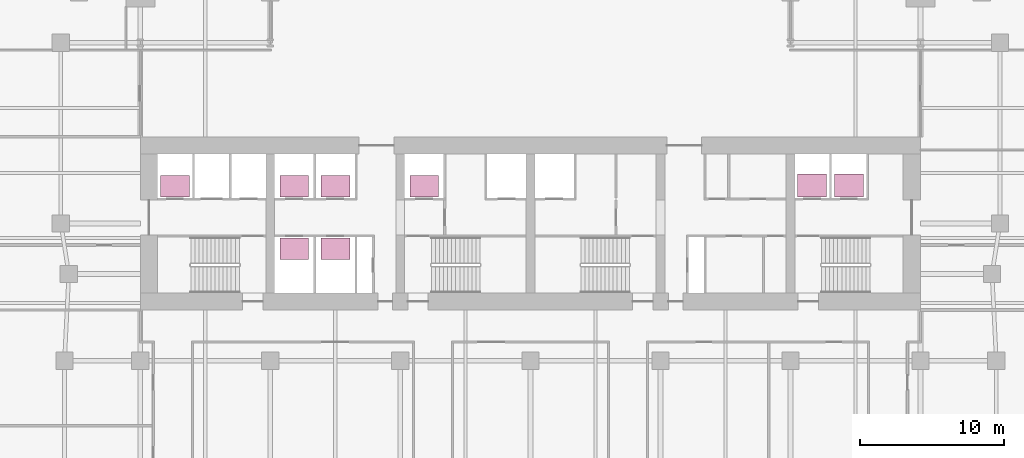
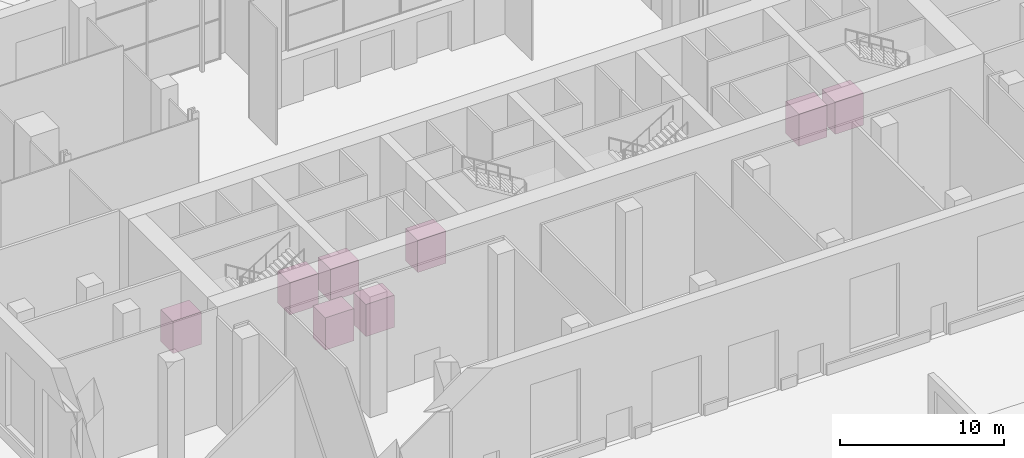
# One storey, part 22 of 23: 8 transport elements.
"""IFC4 building model written with IfcOpenShell, lengths in metres."""

from ifc_helpers import new_model, si_unit, direction, frame, origin, origin_2d, place, context, subcontext, project, spatial, rectangle, extrude, material, type_object, element, save


model = new_model("IFC4")

# Units and contexts
model_context = context("Model", 3, precision=1e-05, world=origin(), true_north=direction((0.0, 1.0)))
body_context = subcontext(model_context, "Body", "Model", "MODEL_VIEW")
ifc_project = project(units=[si_unit("LENGTHUNIT", "METRE"), si_unit("AREAUNIT", "SQUARE_METRE"), si_unit("VOLUMEUNIT", "CUBIC_METRE"), si_unit("PLANEANGLEUNIT", "RADIAN"), si_unit("MASSUNIT", "GRAM", prefix="KILO")], contexts=[model_context])

# Site, building, storey
site_placement = place(None, origin())
site = spatial("IfcSite", under=ifc_project, at=site_placement, CompositionType="ELEMENT")
building_placement = place(site_placement, origin())
building = spatial("IfcBuilding", under=site, at=building_placement, Name="Zellij Exchange Tower", CompositionType="ELEMENT")
storey_placement = place(building_placement, origin())
storey = spatial("IfcBuildingStorey", under=building, at=storey_placement, Name="L00", CompositionType="ELEMENT", Elevation=0.0)

# Transport elements
ifc_material = material(Name="Stainless steel", Category="steel")
transport_element_type_1 = type_object("IfcTransportElementType", Name="CORE-LIFT Low-rise car 2000x1500 1600 kg", PredefinedType="ELEVATOR", material=ifc_material)
for number, where, z_axis, x_axis, name in (
    (1, (-16.35009765625, -5.425048828125, 0.0), (0.0, 0.0, 1.0), (1.0, 0.0, 0.0), "LR1"),
    (2, (-13.5, -5.425048828125, 0.0), (0.0, 0.0, 1.0), (1.0, 0.0, 0.0), "LR2"),
    (3, (-7.35009765625, -5.425048828125, 0.0), (0.0, 0.0, 1.0), (1.0, 0.0, 0.0), "LR3"),
    (4, (-16.35009765625, -9.75, 0.0), (0.0, 0.0, 1.0), (1.0, 0.0, 0.0), "LR4"),
    (5, (-13.5, -9.75, 0.0), (0.0, 0.0, 1.0), (1.0, 0.0, 0.0), "LR5"),
    (6, (-24.60009765625, -5.425048828125, 0.0), (0.0, 0.0, 1.0), (1.0, 0.0, 0.0), "LR6"),
):
    element("IfcTransportElement", number, at=place(storey_placement, frame(where, z_axis=z_axis, x_axis=x_axis)), inside=storey, type_object=transport_element_type_1, Name=name, PredefinedType="ELEVATOR", context=body_context, shape_type="SweptSolid", body=[
        extrude(rectangle(XDim=2.0, YDim=1.5, at=origin_2d()), origin(), (0.0, 0.0, 1.0), 2.39990234375),
    ])
transport_element_type_2 = type_object("IfcTransportElementType", Name="CORE-LIFT Shuttle car 2000x1600 1800 kg", PredefinedType="ELEVATOR", material=ifc_material)
for number, where, z_axis, x_axis, name in (
    (7, (19.5, -5.375, 0.0), (0.0, 0.0, 1.0), (1.0, 0.0, 0.0), "SH1"),
    (8, (22.050048828125, -5.375, 0.0), (0.0, 0.0, 1.0), (1.0, 0.0, 0.0), "SH2"),
):
    element("IfcTransportElement", number, at=place(storey_placement, frame(where, z_axis=z_axis, x_axis=x_axis)), inside=storey, type_object=transport_element_type_2, Name=name, PredefinedType="ELEVATOR", context=body_context, shape_type="SweptSolid", body=[
        extrude(rectangle(XDim=2.0, YDim=1.60009765625, at=origin_2d()), origin(), (0.0, 0.0, 1.0), 2.39990234375),
    ])

save(model, "model.ifc")
